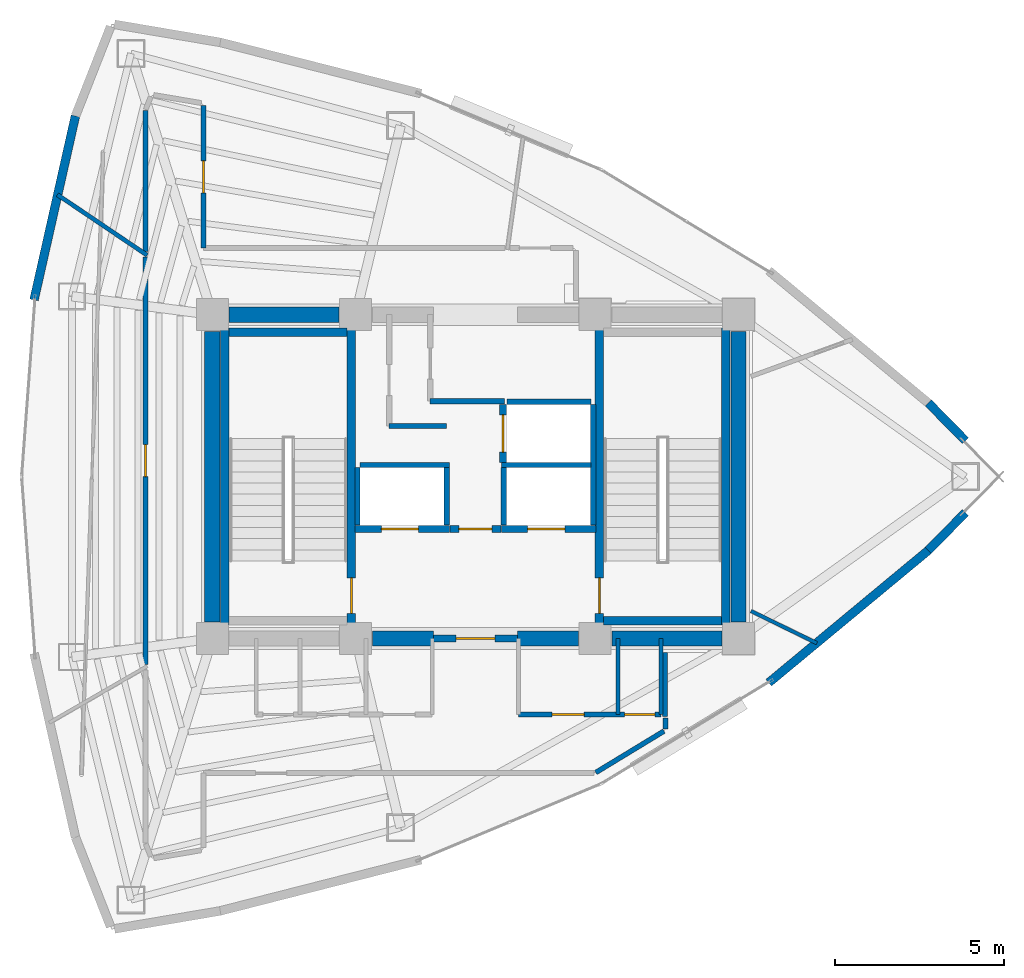
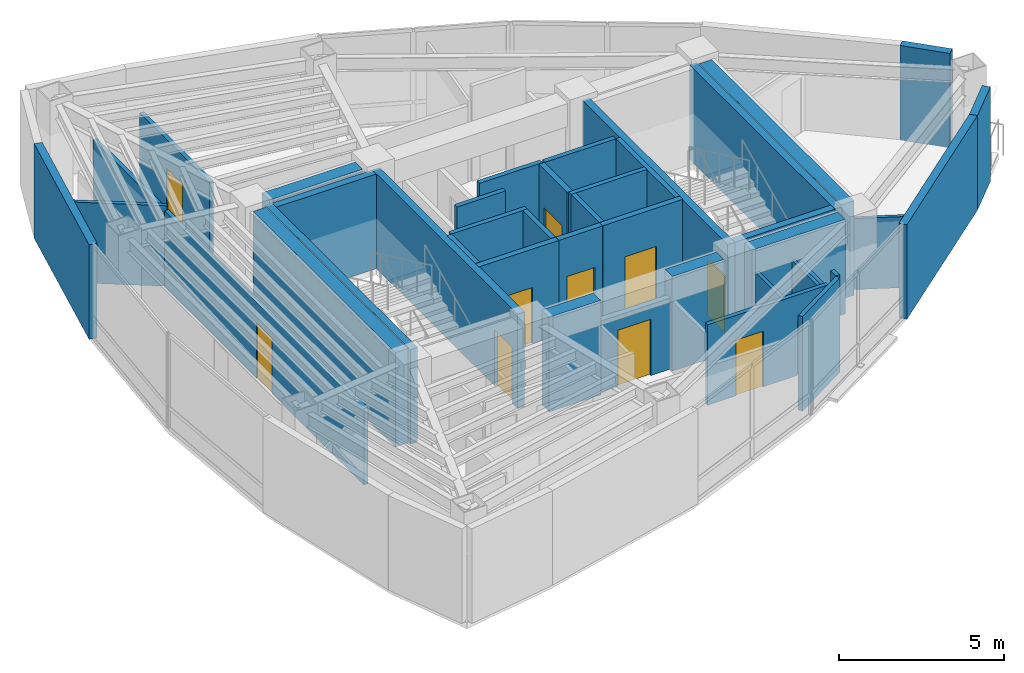
# One storey, part 12 of 16: 41 walls, 11 doors, 11 openings.
"""IFC4 building model written with IfcOpenShell, lengths in metres."""

from ifc_helpers import new_model, si_unit, direction, frame, frame_2d, origin, place, context, subcontext, project, spatial, rectangle, extrude, material, layer, layer_set, type_object, element, fill, save


model = new_model("IFC4")

# Units and contexts
model_context = context("Model", 3, precision=1e-05, world=origin(), true_north=direction((0.0, 1.0)))
body_context = subcontext(model_context, "Body", "Model", "MODEL_VIEW")
ifc_project = project(units=[si_unit("LENGTHUNIT", "METRE"), si_unit("AREAUNIT", "SQUARE_METRE"), si_unit("VOLUMEUNIT", "CUBIC_METRE"), si_unit("PLANEANGLEUNIT", "RADIAN"), si_unit("MASSUNIT", "GRAM", prefix="KILO")], contexts=[model_context])

# Site, building, storey
site_placement = place(None, origin())
site = spatial("IfcSite", under=ifc_project, at=site_placement, CompositionType="ELEMENT")
building_placement = place(site_placement, origin())
building = spatial("IfcBuilding", under=site, at=building_placement, Name="Menara Vayukalpa", CompositionType="ELEMENT")
storey_placement = place(building_placement, frame((0.0, 0.0, 276.89990234375)))
storey = spatial("IfcBuildingStorey", under=building, at=storey_placement, Name="L70", CompositionType="ELEMENT", Elevation=276.89990234375)

# Walls
ifc_material_1 = material(Name="Concrete C50/60", Category="concrete")
ifc_layer_1 = layer(ifc_material_1, 0.449951171875)
ifc_layer_set_1 = layer_set([ifc_layer_1], Name="Concrete C50/60")
wall_type_1 = type_object("IfcWallType", Name="WAL-CW450", PredefinedType="SHEAR", material=ifc_layer_set_1)
wall_1_placement = place(storey_placement, frame((22.544921875, 17.199951171875, 0.0), z_axis=(0.0, 0.0, 1.0), x_axis=(1.0, 0.0, 0.0)))
element("IfcWall", 1, at=wall_1_placement, inside=storey, type_object=wall_type_1, Name="L70 Buttressed Core Shear Wall CWS2", PredefinedType="SHEAR", context=body_context, shape_type="SweptSolid", body=[
    extrude(rectangle(XDim=1.80517578125, YDim=0.449951171875, at=frame_2d((0.902587890625, 0.0))), origin(), (0.0, 0.0, 1.0), 3.5),
])
wall_2_placement = place(storey_placement, frame((26.85009765625, 17.199951171875, 0.0), z_axis=(0.0, 0.0, 1.0), x_axis=(1.0, 0.0, 0.0)))
element("IfcWall", 2, at=wall_2_placement, inside=storey, type_object=wall_type_1, Name="L70 Buttressed Core Shear Wall CWS3", PredefinedType="SHEAR", context=body_context, shape_type="SweptSolid", body=[
    extrude(rectangle(XDim=1.804931640625, YDim=0.449951171875, at=frame_2d((0.90234375, 0.0))), origin(), (0.0, 0.0, 1.0), 3.5),
])
for number, where, z_axis, x_axis, name in (
    (3, (29.64501953125, 17.199951171875, 0.0), (0.0, 0.0, 1.0), (1.0, 0.0, 0.0), "L70 Buttressed Core Shear Wall CWS4"),
    (4, (18.294921875, 26.800048828125, 0.0), (0.0, 0.0, 1.0), (1.0, 0.0, 0.0), "L70 Buttressed Core Shear Wall CWN1"),
):
    element("IfcWall", number, at=place(storey_placement, frame(where, z_axis=z_axis, x_axis=x_axis)), inside=storey, type_object=wall_type_1, Name=name, PredefinedType="SHEAR", context=body_context, shape_type="SweptSolid", body=[
        extrude(rectangle(XDim=3.260009765625, YDim=0.449951171875, at=frame_2d((1.6298828125, 0.0))), origin(), (0.0, 0.0, 1.0), 3.5),
    ])
for number, where, z_axis, x_axis, name in (
    (5, (17.800048828125, 17.695068359375, 0.0), (0.0, 0.0, 1.0), (0.0, 1.0, 0.0), "L70 Buttressed Core Shear Wall CWW1"),
    (6, (33.39990234375, 17.695068359375, 0.0), (0.0, 0.0, 1.0), (0.0, 1.0, 0.0), "L70 Buttressed Core Shear Wall CWE1"),
):
    element("IfcWall", number, at=place(storey_placement, frame(where, z_axis=z_axis, x_axis=x_axis)), inside=storey, type_object=wall_type_1, Name=name, PredefinedType="SHEAR", context=body_context, shape_type="SweptSolid", body=[
        extrude(rectangle(XDim=8.60986328125, YDim=0.449951171875, at=frame_2d((4.304931640625, 0.0))), origin(), (0.0, 0.0, 1.0), 3.5),
    ])
ifc_material_2 = material(Name="Insulated Precast Concrete C40/50", Category="concrete")
ifc_layer_2 = layer(ifc_material_2, 0.260009765625)
ifc_layer_set_2 = layer_set([ifc_layer_2], Name="Insulated Precast Concrete C40/50")
wall_type_2 = type_object("IfcWallType", Name="WAL-EXT260", PredefinedType="PARTITIONING", material=ifc_layer_set_2)
for number, where, z_axis, x_axis, name in (
    (7, (40.1240234375, 20.932861328125, 0.0), (0.0, 0.0, 1.0), (-0.700470648387, -0.71368121087, 0.0), "L70 Perimeter Terracotta Pier Wall 01"),
    (8, (39.023681640625, 24.188232421875, 0.0), (0.0, 0.0, 1.0), (0.700470648387, -0.71368121087, 0.0), "L70 Perimeter Terracotta Pier Wall 02"),
):
    element("IfcWall", number, at=place(storey_placement, frame(where, z_axis=z_axis, x_axis=x_axis)), inside=storey, type_object=wall_type_2, Name=name, PredefinedType="PARTITIONING", context=body_context, shape_type="SweptSolid", body=[
        extrude(rectangle(XDim=1.57080078125, YDim=0.260009765625, at=frame_2d((0.785400390625, 0.0))), origin(), (0.0, 0.0, 1.0), 3.5),
    ])
wall_3_placement = place(storey_placement, frame((12.514892578125, 27.239501953125, 0.0), z_axis=(0.0, 0.0, 1.0), x_axis=(0.219500763731, 0.97561232809, 0.0)))
element("IfcWall", 9, at=wall_3_placement, inside=storey, type_object=wall_type_2, Name="L70 Perimeter Terracotta Pier Wall 09", PredefinedType="PARTITIONING", context=body_context, shape_type="SweptSolid", body=[
    extrude(rectangle(XDim=5.590087890625, YDim=0.260009765625, at=frame_2d((2.794921875, 0.0))), origin(), (0.0, 0.0, 1.0), 3.5),
])
wall_4_placement = place(storey_placement, frame((39.032470703125, 19.81982421875, 0.0), z_axis=(0.0, 0.0, 1.0), x_axis=(-0.769779830138, -0.638309496337, 0.0)))
element("IfcWall", 10, at=wall_4_placement, inside=storey, type_object=wall_type_2, Name="L70 Perimeter Terracotta Pier Wall 18", PredefinedType="PARTITIONING", context=body_context, shape_type="SweptSolid", body=[
    extrude(rectangle(XDim=6.154052734375, YDim=0.260009765625, at=frame_2d((3.0771484375, 0.0))), origin(), (0.0, 0.0, 1.0), 3.5),
])
ifc_material_3 = material(Name="Lightweight Concrete Blockwork C16/20", Category="masonry")
ifc_layer_3 = layer(ifc_material_3, 0.159912109375)
ifc_layer_set_3 = layer_set([ifc_layer_3], Name="Lightweight Concrete Blockwork C16/20")
wall_type_3 = type_object("IfcWallType", Name="WAL-FR150", PredefinedType="PARTITIONING", material=ifc_layer_set_3)
for number, where, z_axis, x_axis, name in (
    (11, (22.10498046875, 20.56005859375, 0.0), (0.0, 0.0, 1.0), (0.0, 1.0, 0.0), "L70 Interior Partition IW-L70-SHW-WW"),
    (12, (24.7548828125, 20.56005859375, 0.0), (0.0, 0.0, 1.0), (0.0, 1.0, 0.0), "L70 Interior Partition IW-L70-SHW-W1E"),
):
    element("IfcWall", number, at=place(storey_placement, frame(where, z_axis=z_axis, x_axis=x_axis)), inside=storey, type_object=wall_type_3, Name=name, PredefinedType="PARTITIONING", context=body_context, shape_type="SweptSolid", body=[
        extrude(rectangle(XDim=1.7099609375, YDim=0.159912109375, at=frame_2d((0.85498046875, 0.0))), origin(), (0.0, 0.0, 1.0), 3.5),
    ])
wall_5_placement = place(storey_placement, frame((22.179931640625, 22.344970703125, 0.0), z_axis=(0.0, 0.0, 1.0), x_axis=(1.0, 0.0, 0.0)))
element("IfcWall", 13, at=wall_5_placement, inside=storey, type_object=wall_type_3, Name="L70 Interior Partition IW-L70-SHM-W12", PredefinedType="PARTITIONING", context=body_context, shape_type="SweptSolid", body=[
    extrude(rectangle(XDim=2.650146484375, YDim=0.159912109375, at=frame_2d((1.3251953125, 0.0))), origin(), (0.0, 0.0, 1.0), 3.5),
])
wall_6_placement = place(storey_placement, frame((29.094970703125, 20.56005859375, 0.0), z_axis=(0.0, 0.0, 1.0), x_axis=(0.0, 1.0, 0.0)))
element("IfcWall", 14, at=wall_6_placement, inside=storey, type_object=wall_type_3, Name="L70 Interior Partition IW-L70-SHW-EE", PredefinedType="PARTITIONING", context=body_context, shape_type="SweptSolid", body=[
    extrude(rectangle(XDim=3.579833984375, YDim=0.159912109375, at=frame_2d((1.7900390625, 0.0))), origin(), (0.0, 0.0, 1.0), 3.5),
])
wall_7_placement = place(storey_placement, frame((26.445068359375, 20.56005859375, 0.0), z_axis=(0.0, 0.0, 1.0), x_axis=(0.0, 1.0, 0.0)))
element("IfcWall", 15, at=wall_7_placement, inside=storey, type_object=wall_type_3, Name="L70 Interior Partition IW-L70-SHW-E1W", PredefinedType="PARTITIONING", context=body_context, shape_type="SweptSolid", body=[
    extrude(rectangle(XDim=1.7099609375, YDim=0.159912109375, at=frame_2d((0.85498046875, 0.0))), origin(), (0.0, 0.0, 1.0), 3.5),
])
wall_8_placement = place(storey_placement, frame((26.3701171875, 22.344970703125, 0.0), z_axis=(0.0, 0.0, 1.0), x_axis=(1.0, 0.0, 0.0)))
element("IfcWall", 16, at=wall_8_placement, inside=storey, type_object=wall_type_3, Name="L70 Interior Partition IW-L70-SHM-E13", PredefinedType="PARTITIONING", context=body_context, shape_type="SweptSolid", body=[
    extrude(rectangle(XDim=2.64990234375, YDim=0.159912109375, at=frame_2d((1.324951171875, 0.0))), origin(), (0.0, 0.0, 1.0), 3.5),
])
wall_9_placement = place(storey_placement, frame((26.530029296875, 24.215087890625, 0.0), z_axis=(0.0, 0.0, 1.0), x_axis=(1.0, 0.0, 0.0)))
element("IfcWall", 17, at=wall_9_placement, inside=storey, type_object=wall_type_3, Name="L70 Interior Partition IW-L70-SHM-E32", PredefinedType="PARTITIONING", context=body_context, shape_type="SweptSolid", body=[
    extrude(rectangle(XDim=2.489990234375, YDim=0.159912109375, at=frame_2d((1.2451171875, 0.0))), origin(), (0.0, 0.0, 1.0), 3.5),
])
wall_10_placement = place(storey_placement, frame((23.0400390625, 23.5, 0.0), z_axis=(0.0, 0.0, 1.0), x_axis=(1.0, 0.0, 0.0)))
element("IfcWall", 18, at=wall_10_placement, inside=storey, type_object=wall_type_3, Name="L70 Interior Partition IW-L70-LV7WA", PredefinedType="PARTITIONING", context=body_context, shape_type="SweptSolid", body=[
    extrude(rectangle(XDim=1.699951171875, YDim=0.159912109375, at=frame_2d((0.85009765625, 0.0))), origin(), (0.0, 0.0, 1.0), 3.5),
])
wall_11_placement = place(storey_placement, frame((24.260009765625, 24.239990234375, 0.0), z_axis=(0.0, 0.0, 1.0), x_axis=(1.0, 0.0, 0.0)))
element("IfcWall", 19, at=wall_11_placement, inside=storey, type_object=wall_type_3, Name="L70 Interior Partition IW-L70-LV7EA", PredefinedType="PARTITIONING", context=body_context, shape_type="SweptSolid", body=[
    extrude(rectangle(XDim=2.199951171875, YDim=0.159912109375, at=frame_2d((1.10009765625, 0.0))), origin(), (0.0, 0.0, 1.0), 3.5),
])

# Wall, opening, door
ifc_material_4 = material(Name="Lightweight Concrete Blockwork C16/20", Category="masonry")
ifc_layer_4 = layer(ifc_material_4, 0.199951171875)
ifc_layer_set_4 = layer_set([ifc_layer_4], Name="Lightweight Concrete Blockwork C16/20")
wall_type_4 = type_object("IfcWallType", Name="WAL-FR200", PredefinedType="PARTITIONING", material=ifc_layer_set_4)
wall_12_placement = place(storey_placement, frame((24.35009765625, 17.199951171875, 0.0), z_axis=(0.0, 0.0, 1.0), x_axis=(1.0, 0.0, 0.0)))
wall_12 = element("IfcWall", 20, at=wall_12_placement, inside=storey, type_object=wall_type_4, Name="L70 Interior Partition IW-L70-FFLS", PredefinedType="PARTITIONING", context=body_context, shape_type="SweptSolid", body=[
    extrude(rectangle(XDim=2.5, YDim=0.199951171875, at=frame_2d((1.25, 0.0))), origin(), (0.0, 0.0, 1.0), 2.630126953125),
])
opening_1_placement = place(wall_12_placement, frame((0.679931640625, 0.0, 0.0)))
opening_1 = element("IfcOpeningElement", 21, at=opening_1_placement, cuts=wall_12, Name="Opening ID2", PredefinedType="OPENING", context=body_context, shape_type="SweptSolid", body=[
    extrude(rectangle(XDim=1.14990234375, YDim=2.080078125, at=frame_2d((0.574951171875, 1.0400390625))), frame((0.0, 0.10986328125, 0.0), z_axis=(0.0, -1.0, 0.0), x_axis=(1.0, 0.0, 0.0)), (0.0, 0.0, 1.0), 0.219970703125),
])
ifc_material_5 = material(Name="Fire-Rated Powder-Coated Steel Door", Category="steel")
door_type_1 = type_object("IfcDoorType", Name="DR-FD60W", OperationType="NOTDEFINED", PredefinedType="DOOR", material=ifc_material_5)
door_1_placement = place(opening_1_placement, origin())
door_1 = element("IfcDoor", 22, at=door_1_placement, inside=storey, type_object=door_type_1, Name="L70 Interior Door DR-L70-FFLS", OperationType="SINGLE_SWING_LEFT", OverallHeight=2.080078125, OverallWidth=1.14990234375, PredefinedType="DOOR", context=body_context, shape_type="SweptSolid", body=[
    extrude(rectangle(XDim=1.14990234375, YDim=2.080078125, at=frame_2d((0.574951171875, 1.0400390625))), frame((0.0, 0.02490234375, 0.0), z_axis=(0.0, -1.0, 0.0), x_axis=(1.0, 0.0, 0.0)), (0.0, 0.0, 1.0), 0.050048828125),
])
fill(opening_1, door_1)

wall_13_placement = place(storey_placement, frame((24.840087890625, 20.449951171875, 0.0), z_axis=(0.0, 0.0, 1.0), x_axis=(1.0, 0.0, 0.0)))
wall_13 = element("IfcWall", 23, at=wall_13_placement, inside=storey, type_object=wall_type_4, Name="L70 Interior Partition IW-L70-FFLN", PredefinedType="PARTITIONING", context=body_context, shape_type="SweptSolid", body=[
    extrude(rectangle(XDim=1.52001953125, YDim=0.199951171875, at=frame_2d((0.760009765625, 0.0))), origin(), (0.0, 0.0, 1.0), 3.5),
])
opening_2_placement = place(wall_13_placement, frame((0.27001953125, 0.0, 0.0)))
opening_2 = element("IfcOpeningElement", 24, at=opening_2_placement, cuts=wall_13, Name="Opening ID3", PredefinedType="OPENING", context=body_context, shape_type="SweptSolid", body=[
    extrude(rectangle(XDim=0.97998046875, YDim=2.06005859375, at=frame_2d((0.489990234375, 1.030029296875))), frame((0.0, 0.10986328125, 0.0), z_axis=(0.0, -1.0, 0.0), x_axis=(1.0, 0.0, 0.0)), (0.0, 0.0, 1.0), 0.219970703125),
])
ifc_material_6 = material(Name="Fire-Rated Powder-Coated Steel Door", Category="steel")
door_type_2 = type_object("IfcDoorType", Name="DR-FD60", OperationType="NOTDEFINED", PredefinedType="DOOR", material=ifc_material_6)
door_2_placement = place(opening_2_placement, origin())
door_2 = element("IfcDoor", 25, at=door_2_placement, inside=storey, type_object=door_type_2, Name="L70 Interior Door DR-L70-FFLN", OperationType="SINGLE_SWING_RIGHT", OverallHeight=2.06005859375, OverallWidth=0.97998046875, PredefinedType="DOOR", context=body_context, shape_type="SweptSolid", body=[
    extrude(rectangle(XDim=0.97998046875, YDim=2.06005859375, at=frame_2d((0.489990234375, 1.030029296875))), frame((0.0, 0.02490234375, 0.0), z_axis=(0.0, -1.0, 0.0), x_axis=(1.0, 0.0, 0.0)), (0.0, 0.0, 1.0), 0.050048828125),
])
fill(opening_2, door_2)

wall_14_placement = place(storey_placement, frame((22.030029296875, 20.449951171875, 0.0), z_axis=(0.0, 0.0, 1.0), x_axis=(1.0, 0.0, 0.0)))
wall_14 = element("IfcWall", 26, at=wall_14_placement, inside=storey, type_object=wall_type_4, Name="L70 Interior Partition IW-L70-SH-W1", PredefinedType="PARTITIONING", context=body_context, shape_type="SweptSolid", body=[
    extrude(rectangle(XDim=2.800048828125, YDim=0.199951171875, at=frame_2d((1.39990234375, 0.0))), origin(), (0.0, 0.0, 1.0), 3.5),
])
opening_3_placement = place(wall_14_placement, frame((0.780029296875, 0.0, 0.0)))
opening_3 = element("IfcOpeningElement", 27, at=opening_3_placement, cuts=wall_14, Name="Opening LD1", PredefinedType="OPENING", context=body_context, shape_type="SweptSolid", body=[
    extrude(rectangle(XDim=1.10009765625, YDim=2.080078125, at=frame_2d((0.550048828125, 1.0400390625))), frame((0.0, 0.10986328125, 0.0), z_axis=(0.0, -1.0, 0.0), x_axis=(1.0, 0.0, 0.0)), (0.0, 0.0, 1.0), 0.219970703125),
])
ifc_material_7 = material(Name="Brushed Stainless Steel 316 Lift Door", Category="steel")
door_type_3 = type_object("IfcDoorType", Name="DR-LD110", OperationType="NOTDEFINED", PredefinedType="DOOR", material=ifc_material_7)
door_3_placement = place(opening_3_placement, origin())
door_3 = element("IfcDoor", 28, at=door_3_placement, inside=storey, type_object=door_type_3, Name="L70 Interior Door DR-L70-LD-W1", OperationType="DOUBLE_DOOR_SLIDING", OverallHeight=2.080078125, OverallWidth=1.10009765625, PredefinedType="DOOR", context=body_context, shape_type="SweptSolid", body=[
    extrude(rectangle(XDim=1.10009765625, YDim=2.080078125, at=frame_2d((0.550048828125, 1.0400390625))), frame((0.0, 0.02490234375, 0.0), z_axis=(0.0, -1.0, 0.0), x_axis=(1.0, 0.0, 0.0)), (0.0, 0.0, 1.0), 0.050048828125),
])
fill(opening_3, door_3)

wall_15_placement = place(storey_placement, frame((26.3701171875, 20.449951171875, 0.0), z_axis=(0.0, 0.0, 1.0), x_axis=(1.0, 0.0, 0.0)))
wall_15 = element("IfcWall", 29, at=wall_15_placement, inside=storey, type_object=wall_type_4, Name="L70 Interior Partition IW-L70-SH-E1", PredefinedType="PARTITIONING", context=body_context, shape_type="SweptSolid", body=[
    extrude(rectangle(XDim=2.7998046875, YDim=0.199951171875, at=frame_2d((1.39990234375, 0.0))), origin(), (0.0, 0.0, 1.0), 3.5),
])
opening_4_placement = place(wall_15_placement, frame((0.780029296875, 0.0, 0.0)))
opening_4 = element("IfcOpeningElement", 30, at=opening_4_placement, cuts=wall_15, Name="Opening LD1", PredefinedType="OPENING", context=body_context, shape_type="SweptSolid", body=[
    extrude(rectangle(XDim=1.10009765625, YDim=2.080078125, at=frame_2d((0.550048828125, 1.0400390625))), frame((0.0, 0.10986328125, 0.0), z_axis=(0.0, -1.0, 0.0), x_axis=(1.0, 0.0, 0.0)), (0.0, 0.0, 1.0), 0.219970703125),
])
door_4_placement = place(opening_4_placement, origin())
door_4 = element("IfcDoor", 31, at=door_4_placement, inside=storey, type_object=door_type_3, Name="L70 Interior Door DR-L70-LD-E1", OperationType="DOUBLE_DOOR_SLIDING", OverallHeight=2.080078125, OverallWidth=1.10009765625, PredefinedType="DOOR", context=body_context, shape_type="SweptSolid", body=[
    extrude(rectangle(XDim=1.10009765625, YDim=2.080078125, at=frame_2d((0.550048828125, 1.0400390625))), frame((0.0, 0.02490234375, 0.0), z_axis=(0.0, -1.0, 0.0), x_axis=(1.0, 0.0, 0.0)), (0.0, 0.0, 1.0), 0.050048828125),
])
fill(opening_4, door_4)

wall_16_placement = place(storey_placement, frame((26.419921875, 22.419921875, 0.0), z_axis=(0.0, 0.0, 1.0), x_axis=(0.0, 1.0, 0.0)))
wall_16 = element("IfcWall", 32, at=wall_16_placement, inside=storey, type_object=wall_type_4, Name="L70 Interior Partition IW-L70-SH-E3", PredefinedType="PARTITIONING", context=body_context, shape_type="SweptSolid", body=[
    extrude(rectangle(XDim=1.719970703125, YDim=0.199951171875, at=frame_2d((0.85986328125, 0.0))), origin(), (0.0, 0.0, 1.0), 3.5),
])
opening_5_placement = place(wall_16_placement, frame((0.31005859375, 0.0, 0.0)))
opening_5 = element("IfcOpeningElement", 33, at=opening_5_placement, cuts=wall_16, Name="Opening LD1", PredefinedType="OPENING", context=body_context, shape_type="SweptSolid", body=[
    extrude(rectangle(XDim=1.10009765625, YDim=2.080078125, at=frame_2d((0.550048828125, 1.0400390625))), frame((0.0, 0.10986328125, 0.0), z_axis=(0.0, -1.0, 0.0), x_axis=(1.0, 0.0, 0.0)), (0.0, 0.0, 1.0), 0.219970703125),
])
door_5_placement = place(opening_5_placement, origin())
door_5 = element("IfcDoor", 34, at=door_5_placement, inside=storey, type_object=door_type_3, Name="L70 Interior Door DR-L70-LD-E3", OperationType="DOUBLE_DOOR_SLIDING", OverallHeight=2.080078125, OverallWidth=1.10009765625, PredefinedType="DOOR", context=body_context, shape_type="SweptSolid", body=[
    extrude(rectangle(XDim=1.10009765625, YDim=2.080078125, at=frame_2d((0.550048828125, 1.0400390625))), frame((0.0, 0.02490234375, 0.0), z_axis=(0.0, -1.0, 0.0), x_axis=(1.0, 0.0, 0.0)), (0.0, 0.0, 1.0), 0.050048828125),
])
fill(opening_5, door_5)

# Walls
ifc_material_8 = material(Name="Acoustic Mineral Stud Partition", Category="masonry")
ifc_layer_5 = layer(ifc_material_8, 0.110107421875)
ifc_layer_set_5 = layer_set([ifc_layer_5], Name="Acoustic Mineral Stud Partition")
wall_type_5 = type_object("IfcWallType", Name="WAL-PT110", PredefinedType="PARTITIONING", material=ifc_layer_set_5)
wall_17_placement = place(storey_placement, frame((31.10009765625, 14.949951171875, 0.0), z_axis=(0.0, 0.0, 1.0), x_axis=(0.0, 1.0, 0.0)))
element("IfcWall", 35, at=wall_17_placement, inside=storey, type_object=wall_type_5, Name="L70 Interior Partition IW-L70-SVCD-07", PredefinedType="PARTITIONING", context=body_context, shape_type="SweptSolid", body=[
    extrude(rectangle(XDim=2.25, YDim=0.110107421875, at=frame_2d((1.125, 0.0))), origin(), (0.0, 0.0, 1.0), 2.630126953125),
])
wall_18_placement = place(storey_placement, frame((33.77001953125, 18.01513671875, 0.0), z_axis=(0.0, 0.0, 1.0), x_axis=(0.898787880347, -0.438383788639, 0.0)))
element("IfcWall", 36, at=wall_18_placement, inside=storey, type_object=wall_type_5, Name="L70 Interior Partition IW-L70-RDIV05", PredefinedType="PARTITIONING", context=body_context, shape_type="SweptSolid", body=[
    extrude(rectangle(XDim=2.173095703125, YDim=0.110107421875, at=frame_2d((1.08642578125, 0.0))), origin(), (0.0, 0.0, 1.0), 2.630126953125),
])
ifc_material_9 = material(Name="Gypsum Drywall Steel Stud Assembly", Category="steel")
ifc_layer_6 = layer(ifc_material_9, 0.125)
ifc_layer_set_6 = layer_set([ifc_layer_6], Name="Gypsum Drywall Steel Stud Assembly")
wall_type_6 = type_object("IfcWallType", Name="WAL-PT125", PredefinedType="PARTITIONING", material=ifc_layer_set_6)
wall_19_placement = place(storey_placement, frame((29.830078125, 14.949951171875, 0.0), z_axis=(0.0, 0.0, 1.0), x_axis=(0.0, 1.0, 0.0)))
element("IfcWall", 37, at=wall_19_placement, inside=storey, type_object=wall_type_6, Name="L70 Interior Partition IW-L70-SVCD-06", PredefinedType="PARTITIONING", context=body_context, shape_type="SweptSolid", body=[
    extrude(rectangle(XDim=2.25, YDim=0.125, at=frame_2d((1.125, 0.0))), origin(), (0.0, 0.0, 1.0), 2.630126953125),
])
wall_20_placement = place(storey_placement, frame((15.8701171875, 28.56298828125, 0.0), z_axis=(0.0, 0.0, 1.0), x_axis=(-0.829068851848, 0.559146527214, 0.0)))
element("IfcWall", 38, at=wall_20_placement, inside=storey, type_object=wall_type_6, Name="L70 Interior Partition IW-L70-RDIV03", PredefinedType="PARTITIONING", context=body_context, shape_type="SweptSolid", body=[
    extrude(rectangle(XDim=3.212646484375, YDim=0.125, at=frame_2d((1.6064453125, 0.0))), origin(), (0.0, 0.0, 1.0), 2.97998046875),
])

# Wall, openings, doors
ifc_material_10 = material(Name="Gypsum Drywall Acoustic Stud Assembly", Category="masonry")
ifc_layer_7 = layer(ifc_material_10, 0.14501953125)
ifc_layer_set_7 = layer_set([ifc_layer_7], Name="Gypsum Drywall Acoustic Stud Assembly")
wall_type_7 = type_object("IfcWallType", Name="WAL-PT150", PredefinedType="PARTITIONING", material=ifc_layer_set_7)
wall_21_placement = place(storey_placement, frame((26.8798828125, 14.949951171875, 0.0), z_axis=(0.0, 0.0, 1.0), x_axis=(1.0, 0.0, 0.0)))
wall_21 = element("IfcWall", 39, at=wall_21_placement, inside=storey, type_object=wall_type_7, Name="L70 Interior Partition IW-L70-SVCS-E", PredefinedType="PARTITIONING", context=body_context, shape_type="SweptSolid", body=[
    extrude(rectangle(XDim=4.22021484375, YDim=0.14501953125, at=frame_2d((2.110107421875, 0.0))), origin(), (0.0, 0.0, 1.0), 2.97998046875),
])
opening_6_placement = place(wall_21_placement, frame((0.9951171875, 0.0, 0.0)))
opening_6 = element("IfcOpeningElement", 40, at=opening_6_placement, cuts=wall_21, Name="Opening ID5", PredefinedType="OPENING", context=body_context, shape_type="SweptSolid", body=[
    extrude(rectangle(XDim=0.949951171875, YDim=2.06005859375, at=frame_2d((0.47509765625, 1.030029296875))), frame((0.0, 0.08251953125, 0.0), z_axis=(0.0, -1.0, 0.0), x_axis=(1.0, 0.0, 0.0)), (0.0, 0.0, 1.0), 0.1650390625),
])
opening_7_placement = place(wall_21_placement, frame((3.139892578125, 0.0, 0.0)))
opening_7 = element("IfcOpeningElement", 41, at=opening_7_placement, cuts=wall_21, Name="Opening ID7", PredefinedType="OPENING", context=body_context, shape_type="SweptSolid", body=[
    extrude(rectangle(XDim=0.89990234375, YDim=2.02001953125, at=frame_2d((0.449951171875, 1.010009765625))), frame((0.0, 0.08251953125, 0.0), z_axis=(0.0, -1.0, 0.0), x_axis=(1.0, 0.0, 0.0)), (0.0, 0.0, 1.0), 0.1650390625),
])
ifc_material_11 = material(Name="Acoustic Hardwood Veneer Timber Door", Category="wood")
door_type_4 = type_object("IfcDoorType", Name="DR-INT95", OperationType="NOTDEFINED", PredefinedType="DOOR", material=ifc_material_11)
door_6_placement = place(opening_6_placement, origin())
door_6 = element("IfcDoor", 42, at=door_6_placement, inside=storey, type_object=door_type_4, Name="L70 Interior Door DR-L70-KSV1", OperationType="SINGLE_SWING_RIGHT", OverallHeight=2.06005859375, OverallWidth=0.949951171875, PredefinedType="DOOR", context=body_context, shape_type="SweptSolid", body=[
    extrude(rectangle(XDim=0.949951171875, YDim=2.06005859375, at=frame_2d((0.47509765625, 1.030029296875))), frame((0.0, 0.02490234375, 0.0), z_axis=(0.0, -1.0, 0.0), x_axis=(1.0, 0.0, 0.0)), (0.0, 0.0, 1.0), 0.050048828125),
])
fill(opening_6, door_6)
ifc_material_12 = material(Name="Powder-Coated Steel Riser Access Door", Category="steel")
door_type_5 = type_object("IfcDoorType", Name="DR-RISER", OperationType="NOTDEFINED", PredefinedType="DOOR", material=ifc_material_12)
door_7_placement = place(opening_7_placement, origin())
door_7 = element("IfcDoor", 43, at=door_7_placement, inside=storey, type_object=door_type_5, Name="L70 Interior Door DR-L70-SMD", OperationType="SINGLE_SWING_LEFT", OverallHeight=2.02001953125, OverallWidth=0.89990234375, PredefinedType="DOOR", context=body_context, shape_type="SweptSolid", body=[
    extrude(rectangle(XDim=0.89990234375, YDim=2.02001953125, at=frame_2d((0.449951171875, 1.010009765625))), frame((0.0, 0.02490234375, 0.0), z_axis=(0.0, -1.0, 0.0), x_axis=(1.0, 0.0, 0.0)), (0.0, 0.0, 1.0), 0.050048828125),
])
fill(opening_7, door_7)

# Walls
wall_22_placement = place(storey_placement, frame((29.167724609375, 13.228515625, 0.0), z_axis=(0.0, 0.0, 1.0), x_axis=(0.854678044033, 0.519158396876, 0.0)))
element("IfcWall", 44, at=wall_22_placement, inside=storey, type_object=wall_type_7, Name="L70 Interior Partition IW-L70-CRM02-6", PredefinedType="PARTITIONING", context=body_context, shape_type="SweptSolid", body=[
    extrude(rectangle(XDim=2.36767578125, YDim=0.14501953125, at=frame_2d((1.183837890625, 0.0))), origin(), (0.0, 0.0, 1.0), 3.5),
])
wall_23_placement = place(storey_placement, frame((31.22998046875, 14.526123046875, 0.0), z_axis=(0.0, 0.0, 1.0), x_axis=(0.0, 1.0, 0.0)))
element("IfcWall", 45, at=wall_23_placement, inside=storey, type_object=wall_type_7, Name="L70 Interior Partition IW-L70-CRM02-7", PredefinedType="PARTITIONING", context=body_context, shape_type="SweptSolid", body=[
    extrude(rectangle(XDim=0.323974609375, YDim=0.14501953125, at=frame_2d((0.162109375, 0.0))), origin(), (0.0, 0.0, 1.0), 3.5),
])
wall_24_placement = place(storey_placement, frame((31.219970703125, 14.888671875, 0.0), z_axis=(0.0, 0.0, 1.0), x_axis=(0.0, 1.0, 0.0)))
element("IfcWall", 46, at=wall_24_placement, inside=storey, type_object=wall_type_7, Name="L70 Interior Partition IW-L70-CRM02-8", PredefinedType="PARTITIONING", context=body_context, shape_type="SweptSolid", body=[
    extrude(rectangle(XDim=1.891357421875, YDim=0.14501953125, at=frame_2d((0.94580078125, 0.0))), origin(), (0.0, 0.0, 1.0), 2.630126953125),
])

# Wall, opening, door
wall_25_placement = place(storey_placement, frame((17.5400390625, 28.780029296875, 0.0), z_axis=(0.0, 0.0, 1.0), x_axis=(0.0, 1.0, 0.0)))
wall_25 = element("IfcWall", 47, at=wall_25_placement, inside=storey, type_object=wall_type_7, Name="L70 Interior Partition IW-L70-CRM05-2", PredefinedType="PARTITIONING", context=body_context, shape_type="SweptSolid", body=[
    extrude(rectangle(XDim=4.216064453125, YDim=0.14501953125, at=frame_2d((2.10791015625, 0.0))), origin(), (0.0, 0.0, 1.0), 3.130126953125),
])
opening_8_placement = place(wall_25_placement, frame((1.633056640625, 0.0, 0.0)))
opening_8 = element("IfcOpeningElement", 48, at=opening_8_placement, cuts=wall_25, Name="Opening ID5", PredefinedType="OPENING", context=body_context, shape_type="SweptSolid", body=[
    extrude(rectangle(XDim=0.949951171875, YDim=2.06005859375, at=frame_2d((0.47509765625, 1.030029296875))), frame((0.0, 0.08251953125, 0.0), z_axis=(0.0, -1.0, 0.0), x_axis=(1.0, 0.0, 0.0)), (0.0, 0.0, 1.0), 0.1650390625),
])
door_8_placement = place(opening_8_placement, origin())
door_8 = element("IfcDoor", 49, at=door_8_placement, inside=storey, type_object=door_type_4, Name="L70 Interior Door DR-L70-RM05", OperationType="SINGLE_SWING_RIGHT", OverallHeight=2.06005859375, OverallWidth=0.949951171875, PredefinedType="DOOR", context=body_context, shape_type="SweptSolid", body=[
    extrude(rectangle(XDim=0.949951171875, YDim=2.06005859375, at=frame_2d((0.47509765625, 1.030029296875))), frame((0.0, 0.02490234375, 0.0), z_axis=(0.0, -1.0, 0.0), x_axis=(1.0, 0.0, 0.0)), (0.0, 0.0, 1.0), 0.050048828125),
])
fill(opening_8, door_8)

# Wall
wall_26_placement = place(storey_placement, frame((15.820068359375, 32.853759765625, 0.0), z_axis=(0.0, 0.0, 1.0), x_axis=(0.0, -1.0, 0.0)))
element("IfcWall", 50, at=wall_26_placement, inside=storey, type_object=wall_type_7, Name="L70 Interior Partition IW-L70-CRM05-5", PredefinedType="PARTITIONING", context=body_context, shape_type="SweptSolid", body=[
    extrude(rectangle(XDim=4.172607421875, YDim=0.14501953125, at=frame_2d((2.08642578125, 0.0))), origin(), (0.0, 0.0, 1.0), 2.830078125),
])

# Wall, opening, door
wall_27_placement = place(storey_placement, frame((15.820068359375, 28.51220703125, 0.0), z_axis=(0.0, 0.0, 1.0), x_axis=(0.0, -1.0, 0.0)))
wall_27 = element("IfcWall", 51, at=wall_27_placement, inside=storey, type_object=wall_type_7, Name="L70 Interior Partition IW-L70-CRM07-1", PredefinedType="PARTITIONING", context=body_context, shape_type="SweptSolid", body=[
    extrude(rectangle(XDim=12.077880859375, YDim=0.14501953125, at=frame_2d((6.0390625, 0.0))), origin(), (0.0, 0.0, 1.0), 2.830078125),
])
opening_9_placement = place(wall_27_placement, frame((5.56396484375, 0.0, 0.0)))
opening_9 = element("IfcOpeningElement", 52, at=opening_9_placement, cuts=wall_27, Name="Opening ID5", PredefinedType="OPENING", context=body_context, shape_type="SweptSolid", body=[
    extrude(rectangle(XDim=0.949951171875, YDim=2.06005859375, at=frame_2d((0.47509765625, 1.030029296875))), frame((0.0, 0.08251953125, 0.0), z_axis=(0.0, -1.0, 0.0), x_axis=(1.0, 0.0, 0.0)), (0.0, 0.0, 1.0), 0.1650390625),
])
door_9_placement = place(opening_9_placement, origin())
door_9 = element("IfcDoor", 53, at=door_9_placement, inside=storey, type_object=door_type_4, Name="L70 Interior Door DR-L70-RM07", OperationType="SINGLE_SWING_LEFT", OverallHeight=2.06005859375, OverallWidth=0.949951171875, PredefinedType="DOOR", context=body_context, shape_type="SweptSolid", body=[
    extrude(rectangle(XDim=0.949951171875, YDim=2.06005859375, at=frame_2d((0.47509765625, 1.030029296875))), frame((0.0, 0.02490234375, 0.0), z_axis=(0.0, -1.0, 0.0), x_axis=(1.0, 0.0, 0.0)), (0.0, 0.0, 1.0), 0.050048828125),
])
fill(opening_9, door_9)

# Wall
ifc_material_13 = material(Name="Concrete C50/60", Category="concrete")
ifc_layer_8 = layer(ifc_material_13, 0.25)
ifc_layer_set_8 = layer_set([ifc_layer_8], Name="Concrete C50/60")
wall_type_8 = type_object("IfcWallType", Name="WAL-SW250", PredefinedType="SHEAR", material=ifc_layer_set_8)
wall_28_placement = place(storey_placement, frame((18.175048828125, 17.60009765625, 0.0), z_axis=(0.0, 0.0, 1.0), x_axis=(0.0, 1.0, 0.0)))
element("IfcWall", 54, at=wall_28_placement, inside=storey, type_object=wall_type_8, Name="L70 ST1 Structural Stair Shaft Wall W", PredefinedType="SHEAR", context=body_context, shape_type="SweptSolid", body=[
    extrude(rectangle(XDim=8.7998046875, YDim=0.25, at=frame_2d((4.39990234375, 0.0))), origin(), (0.0, 0.0, 1.0), 3.5),
])

# Wall, opening, door
wall_29_placement = place(storey_placement, frame((21.925048828125, 17.60009765625, 0.0), z_axis=(0.0, 0.0, 1.0), x_axis=(0.0, 1.0, 0.0)))
wall_29 = element("IfcWall", 55, at=wall_29_placement, inside=storey, type_object=wall_type_8, Name="L70 ST1 Structural Stair Shaft Wall E", PredefinedType="SHEAR", context=body_context, shape_type="SweptSolid", body=[
    extrude(rectangle(XDim=8.7998046875, YDim=0.25, at=frame_2d((4.39990234375, 0.0))), origin(), (0.0, 0.0, 1.0), 3.5),
])
opening_10_placement = place(wall_29_placement, frame((0.35009765625, 0.0, 0.0)))
opening_10 = element("IfcOpeningElement", 56, at=opening_10_placement, cuts=wall_29, Name="Opening ID1", PredefinedType="OPENING", context=body_context, shape_type="SweptSolid", body=[
    extrude(rectangle(XDim=1.050048828125, YDim=2.080078125, at=frame_2d((0.52490234375, 1.0400390625))), frame((0.0, 0.135009765625, 0.0), z_axis=(0.0, -1.0, 0.0), x_axis=(1.0, 0.0, 0.0)), (0.0, 0.0, 1.0), 0.27001953125),
])
ifc_material_14 = material(Name="Fire-Rated Powder-Coated Steel Door", Category="steel")
door_type_6 = type_object("IfcDoorType", Name="DR-FD120", OperationType="NOTDEFINED", PredefinedType="DOOR", material=ifc_material_14)
door_10_placement = place(opening_10_placement, origin())
door_10 = element("IfcDoor", 57, at=door_10_placement, inside=storey, type_object=door_type_6, Name="L70 Stair Exit Door DR-L70-ST1", OperationType="SINGLE_SWING_LEFT", OverallHeight=2.080078125, OverallWidth=1.050048828125, PredefinedType="DOOR", context=body_context, shape_type="SweptSolid", body=[
    extrude(rectangle(XDim=1.050048828125, YDim=2.080078125, at=frame_2d((0.52490234375, 1.0400390625))), frame((0.0, 0.02490234375, 0.0), z_axis=(0.0, -1.0, 0.0), x_axis=(1.0, 0.0, 0.0)), (0.0, 0.0, 1.0), 0.050048828125),
])
fill(opening_10, door_10)

# Wall
wall_30_placement = place(storey_placement, frame((18.300048828125, 26.27490234375, 0.0), z_axis=(0.0, 0.0, 1.0), x_axis=(1.0, 0.0, 0.0)))
element("IfcWall", 58, at=wall_30_placement, inside=storey, type_object=wall_type_8, Name="L70 ST1 Structural Stair Shaft Wall N", PredefinedType="SHEAR", context=body_context, shape_type="SweptSolid", body=[
    extrude(rectangle(XDim=3.5, YDim=0.25, at=frame_2d((1.75, 0.0))), origin(), (0.0, 0.0, 1.0), 3.5),
])

# Wall, opening, door
wall_31_placement = place(storey_placement, frame((29.27490234375, 17.60009765625, 0.0), z_axis=(0.0, 0.0, 1.0), x_axis=(0.0, 1.0, 0.0)))
wall_31 = element("IfcWall", 59, at=wall_31_placement, inside=storey, type_object=wall_type_8, Name="L70 ST2 Structural Stair Shaft Wall W", PredefinedType="SHEAR", context=body_context, shape_type="SweptSolid", body=[
    extrude(rectangle(XDim=8.7998046875, YDim=0.25, at=frame_2d((4.39990234375, 0.0))), origin(), (0.0, 0.0, 1.0), 3.5),
])
opening_11_placement = place(wall_31_placement, frame((0.35009765625, 0.0, 0.0)))
opening_11 = element("IfcOpeningElement", 60, at=opening_11_placement, cuts=wall_31, Name="Opening ID1", PredefinedType="OPENING", context=body_context, shape_type="SweptSolid", body=[
    extrude(rectangle(XDim=1.050048828125, YDim=2.080078125, at=frame_2d((0.52490234375, 1.0400390625))), frame((0.0, 0.135009765625, 0.0), z_axis=(0.0, -1.0, 0.0), x_axis=(1.0, 0.0, 0.0)), (0.0, 0.0, 1.0), 0.27001953125),
])
door_11_placement = place(opening_11_placement, origin())
door_11 = element("IfcDoor", 61, at=door_11_placement, inside=storey, type_object=door_type_6, Name="L70 Stair Exit Door DR-L70-ST2", OperationType="SINGLE_SWING_RIGHT", OverallHeight=2.080078125, OverallWidth=1.050048828125, PredefinedType="DOOR", context=body_context, shape_type="SweptSolid", body=[
    extrude(rectangle(XDim=1.050048828125, YDim=2.080078125, at=frame_2d((0.52490234375, 1.0400390625))), frame((0.0, 0.02490234375, 0.0), z_axis=(0.0, -1.0, 0.0), x_axis=(1.0, 0.0, 0.0)), (0.0, 0.0, 1.0), 0.050048828125),
])
fill(opening_11, door_11)

# Walls
wall_32_placement = place(storey_placement, frame((33.02490234375, 17.60009765625, 0.0), z_axis=(0.0, 0.0, 1.0), x_axis=(0.0, 1.0, 0.0)))
element("IfcWall", 62, at=wall_32_placement, inside=storey, type_object=wall_type_8, Name="L70 ST2 Structural Stair Shaft Wall E", PredefinedType="SHEAR", context=body_context, shape_type="SweptSolid", body=[
    extrude(rectangle(XDim=8.7998046875, YDim=0.25, at=frame_2d((4.39990234375, 0.0))), origin(), (0.0, 0.0, 1.0), 3.5),
])
wall_33_placement = place(storey_placement, frame((29.39990234375, 17.72509765625, 0.0), z_axis=(0.0, 0.0, 1.0), x_axis=(1.0, 0.0, 0.0)))
element("IfcWall", 63, at=wall_33_placement, inside=storey, type_object=wall_type_8, Name="L70 ST2 Structural Stair Shaft Wall S", PredefinedType="SHEAR", context=body_context, shape_type="SweptSolid", body=[
    extrude(rectangle(XDim=3.5, YDim=0.25, at=frame_2d((1.75, 0.0))), origin(), (0.0, 0.0, 1.0), 3.5),
])

save(model, "model.ifc")
